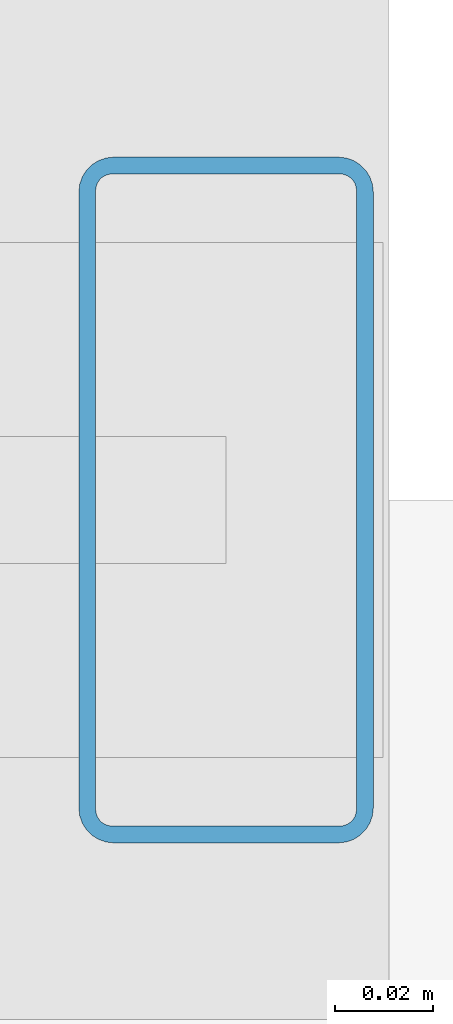
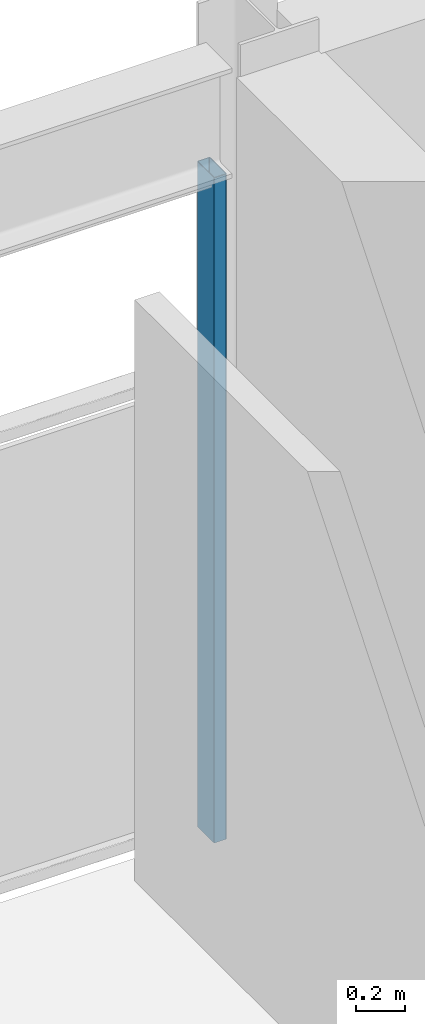
# One storey, part 25 of 32: 1 member, 1 element without a shape of its own.
"""IFC4 building model written with IfcOpenShell, lengths in metres."""

import ifcopenshell
import ifcopenshell.guid

model = None  # the IFC model being written
_history = None  # IfcOwnerHistory: only IFC2X3 demands one
_inside = {}  # id of a spatial element -> (the spatial element, [elements in it])
_under = {}  # id of a project, library or spatial element -> (it, [spatial elements below it])
_declared = {}  # id of a project -> (the project, [libraries it declares])
_typed = {}  # id of a type object -> (the type object, [elements of that type])
_made_of = {}  # id of a material, layer set ... -> (it, [elements and type objects made of it])


def new_model(schema):
    """Start an empty IFC model of exactly this schema.

    Asked for "IFC4X3", IfcOpenShell would pick the latest addendum, in which some entities
    have other attributes; the version numbers below select the first issue.
    IFC2X3 requires an IfcOwnerHistory on every rooted entity: one is made here for all.
    """
    global model, _history
    if schema == "IFC4X3":
        model = ifcopenshell.file(schema_version=(4, 3, 0, 0))
    else:
        model = ifcopenshell.file(schema=schema)
    _inside.clear()
    _under.clear()
    _declared.clear()
    _typed.clear()
    _made_of.clear()
    _history = None
    if model.schema == "IFC2X3":
        org = make("IfcOrganization", Name="unknown")
        user = make(
            "IfcPersonAndOrganization",
            ThePerson=make("IfcPerson", FamilyName="unknown"),
            TheOrganization=org,
        )
        app = make(
            "IfcApplication",
            ApplicationDeveloper=org,
            Version="unknown",
            ApplicationFullName="unknown",
            ApplicationIdentifier="unknown",
        )
        _history = make(
            "IfcOwnerHistory",
            OwningUser=user,
            OwningApplication=app,
            ChangeAction="ADDED",
            CreationDate=0,
        )
    return model


def make(cls, **values):
    """One entity of the class cls with the attributes given. An attribute that is None is left unset."""
    return model.create_entity(
        cls, **{name: value for name, value in values.items() if value is not None}
    )


def rooted(cls, **values):
    """An entity with a GlobalId (a new one), such as an element, a storey or a relation."""
    return make(cls, GlobalId=ifcopenshell.guid.new(), OwnerHistory=_history, **values)


def si_unit(unit_type, name, prefix=None):
    """IfcSIUnit, for example si_unit("LENGTHUNIT", "METRE", prefix="MILLI")."""
    return make("IfcSIUnit", UnitType=unit_type, Prefix=prefix, Name=name)


def assignment(units):
    """IfcUnitAssignment: the units of a project."""
    return None if units is None else make("IfcUnitAssignment", Units=units)


def point(xyz):
    """IfcCartesianPoint."""
    return None if xyz is None else make("IfcCartesianPoint", Coordinates=xyz)


def direction(xyz):
    """IfcDirection."""
    return None if xyz is None else make("IfcDirection", DirectionRatios=xyz)


def frame(location, z_axis=None, x_axis=None):
    """IfcAxis2Placement3D, a coordinate frame: its origin and axes. An axis left out is left unset."""
    return make(
        "IfcAxis2Placement3D",
        Location=point(location),
        Axis=direction(z_axis),
        RefDirection=direction(x_axis),
    )


def frame_2d(location, x_axis=None):
    """IfcAxis2Placement2D, a coordinate frame in the plane: its origin and x axis."""
    return make(
        "IfcAxis2Placement2D", Location=point(location), RefDirection=direction(x_axis)
    )


def origin():
    """The frame at (0, 0, 0) with its axes left unset."""
    return frame((0.0, 0.0, 0.0))


def origin_2d():
    """The frame at (0, 0) in the plane with its x axis left unset."""
    return frame_2d((0.0, 0.0))


def place(relative_to, where):
    """IfcLocalPlacement: puts the frame where relative to a parent placement (None: the world)."""
    return make(
        "IfcLocalPlacement", PlacementRelTo=relative_to, RelativePlacement=where
    )


def context(
    kind, dimensions, precision=None, world=None, true_north=None, identifier=None
):
    """IfcGeometricRepresentationContext, for example the 3D "Model" context."""
    return make(
        "IfcGeometricRepresentationContext",
        ContextIdentifier=identifier,
        ContextType=kind,
        CoordinateSpaceDimension=dimensions,
        Precision=precision,
        WorldCoordinateSystem=world,
        TrueNorth=true_north,
    )


def subcontext(parent, identifier, kind, view, scale=None):
    """IfcGeometricRepresentationSubContext, for example "Body" below "Model"."""
    return make(
        "IfcGeometricRepresentationSubContext",
        ContextIdentifier=identifier,
        ContextType=kind,
        ParentContext=parent,
        TargetScale=scale,
        TargetView=view,
    )


def project(units=None, contexts=None):
    """IfcProject with its units and contexts."""
    return rooted(
        "IfcProject",
        Name="project",
        RepresentationContexts=contexts,
        UnitsInContext=assignment(units),
    )


def spatial(cls, under=None, at=None, **own):
    """A site, building, storey or space (cls), placed at a placement, below another one or the project."""
    s = rooted(cls, ObjectPlacement=at, **own)
    if under is not None:
        _under.setdefault(under.id(), (under, []))[1].append(s)
    return s


def profile(cls, at=None, kind="AREA", **sizes):
    """A parametric profile (cls). Its sizes go by their IFC names, for example OverallWidth=200.0."""
    return make(cls, ProfileType=kind, Position=at, **sizes)


def hollow_rectangle(**sizes):
    """IfcRectangleHollowProfileDef."""
    return profile("IfcRectangleHollowProfileDef", **sizes)


def extrude(swept, where, along, depth):
    """IfcExtrudedAreaSolid: the profile swept, set in the frame where, extruded along a direction by depth."""
    return make(
        "IfcExtrudedAreaSolid",
        SweptArea=swept,
        Position=where,
        ExtrudedDirection=direction(along),
        Depth=depth,
    )


def shape(context_of_items, identifier, shape_type, items):
    """IfcShapeRepresentation: the items that make up one representation, for example the "Body"."""
    return make(
        "IfcShapeRepresentation",
        ContextOfItems=context_of_items,
        RepresentationIdentifier=identifier,
        RepresentationType=shape_type,
        Items=items,
    )


def material(Name=None, Category=None):
    """IfcMaterial."""
    return make("IfcMaterial", Name=Name, Category=Category)


def material_profile(
    of_material, cross_section, Name=None, Category=None, Priority=None
):
    """IfcMaterialProfile: a cross section and its material."""
    return make(
        "IfcMaterialProfile",
        Name=Name,
        Material=of_material,
        Profile=cross_section,
        Priority=Priority,
        Category=Category,
    )


def profile_set(profiles, Name=None, composite=None):
    """IfcMaterialProfileSet."""
    return make(
        "IfcMaterialProfileSet",
        Name=Name,
        MaterialProfiles=profiles,
        CompositeProfile=composite,
    )


def made_of(thing, what):
    """Note that an element or type object is made of a material, layer set ...; save() writes the relation."""
    if what is not None:
        _made_of.setdefault(what.id(), (what, []))[1].append(thing)
    return thing


def type_object(cls, material=None, **own):
    """A type object (cls), such as IfcWallType, which elements share."""
    return made_of(rooted(cls, **own), material)


def element(
    cls,
    number,
    at=None,
    inside=None,
    cuts=None,
    type_object=None,
    material=None,
    context=None,
    identifier="Body",
    shape_type=None,
    held_by="IfcProductDefinitionShape",
    body=None,
    shapes=None,
    **own,
):
    """One element of the class cls, such as IfcWall. Its Tag is "e" and its number.

    at: its placement. inside: the storey or other place that contains it. cuts: it is an
    opening in that element (IfcRelVoidsElement). A single representation is given by context,
    identifier, shape_type and body (its items); several are given by shapes. held_by: the class
    of the entity that holds the representations. save() writes the other relations.
    """
    e = rooted(cls, Tag="e%d" % number, ObjectPlacement=at, **own)
    if body is not None:
        shapes = [shape(context, identifier, shape_type, body)]
    if shapes is not None:
        e.Representation = make(held_by, Representations=shapes)
    if inside is not None:
        _inside.setdefault(inside.id(), (inside, []))[1].append(e)
    if cuts is not None:
        rooted(
            "IfcRelVoidsElement", RelatingBuildingElement=cuts, RelatedOpeningElement=e
        )
    if type_object is not None:
        _typed.setdefault(type_object.id(), (type_object, []))[1].append(e)
    return made_of(e, material)


def aggregate(whole, parts):
    """IfcRelAggregates: a whole, such as a stair, and the parts it consists of."""
    return rooted("IfcRelAggregates", RelatingObject=whole, RelatedObjects=parts)


def save(model, path):
    """Write the relations noted so far, then the file.

    IfcRelAggregates (storeys below a building ...), IfcRelContainedInSpatialStructure (elements
    in a storey), IfcRelDefinesByType, IfcRelAssociatesMaterial and IfcRelDeclares: one each for
    every whole, place, type object, material and project.
    """
    for whole, parts in _under.values():
        aggregate(whole, parts)
    for where, things in _inside.values():
        rooted(
            "IfcRelContainedInSpatialStructure",
            RelatedElements=things,
            RelatingStructure=where,
        )
    for kind, things in _typed.values():
        rooted("IfcRelDefinesByType", RelatedObjects=things, RelatingType=kind)
    for what, things in _made_of.values():
        rooted("IfcRelAssociatesMaterial", RelatedObjects=things, RelatingMaterial=what)
    for by, libraries in _declared.values():
        rooted("IfcRelDeclares", RelatingContext=by, RelatedDefinitions=libraries)
    model.write(path)


model = new_model("IFC4")

# Units and contexts
model_context = context("Model", 3, precision=1e-05, world=origin(), true_north=direction((0.0, 1.0)))
body_context = subcontext(model_context, "Body", "Model", "MODEL_VIEW")
ifc_project = project(units=[si_unit("LENGTHUNIT", "METRE"), si_unit("AREAUNIT", "SQUARE_METRE"), si_unit("VOLUMEUNIT", "CUBIC_METRE"), si_unit("PLANEANGLEUNIT", "RADIAN"), si_unit("MASSUNIT", "GRAM", prefix="KILO")], contexts=[model_context])

# Site, building, storey
site_placement = place(None, origin())
site = spatial("IfcSite", under=ifc_project, at=site_placement, CompositionType="ELEMENT")
building_placement = place(site_placement, origin())
building = spatial("IfcBuilding", under=site, at=building_placement, Name="Girod Span Mobility Hub", CompositionType="ELEMENT")
storey_placement = place(building_placement, frame((0.0, 0.0, 61.60009765625)))
storey = spatial("IfcBuildingStorey", under=building, at=storey_placement, Name="L15", CompositionType="ELEMENT", Elevation=61.60009765625)

# Curtain wall, member
ifc_material_1 = material(Name="Thermally Broken Anodised Aluminium", Category="aluminium")
curtain_wall_type = type_object("IfcCurtainWallType", Name="CW-564X330", PredefinedType="USERDEFINED", material=ifc_material_1)
curtain_wall_placement = place(storey_placement, origin())
curtain_wall = element("IfcCurtainWall", 1, at=curtain_wall_placement, inside=storey, type_object=curtain_wall_type, Name="Unitised Curtain Wall CW-L15-N09E L15", ObjectType="UNITISED CURTAIN WALL", PredefinedType="USERDEFINED")
ifc_material_2 = material(Name="Thermally Broken Anodised Aluminium", Category="aluminium")
ifc_material_profile = material_profile(ifc_material_2, hollow_rectangle(XDim=0.139892578125, YDim=0.06005859375, WallThickness=0.00341796875, InnerFilletRadius=0.00341796875, OuterFilletRadius=0.007080078125, at=origin_2d()), Name="CW-ML-60X140")
ifc_profile_set = profile_set([ifc_material_profile], Name="Thermally Broken Anodised Aluminium")
member_type = type_object("IfcMemberType", Name="CWM-ML-4", PredefinedType="MULLION", material=ifc_profile_set)
member_placement = place(storey_placement, frame((107.785400390625, 69.0, 0.0), z_axis=(0.0, 0.0, 1.0), x_axis=(0.0, 1.0, 0.0)))
member = element("IfcMember", 2, at=member_placement, type_object=member_type, Name="Curtain Wall Mullion CW-L15-N09E-M2", PredefinedType="MULLION", context=body_context, shape_type="SweptSolid", body=[
    extrude(hollow_rectangle(XDim=0.139892578125, YDim=0.06005859375, WallThickness=0.00341796875, InnerFilletRadius=0.00341796875, OuterFilletRadius=0.007080078125, at=origin_2d()), origin(), (0.0, 0.0, 1.0), 3.2958984375),
])
aggregate(curtain_wall, [member])

save(model, "model.ifc")
